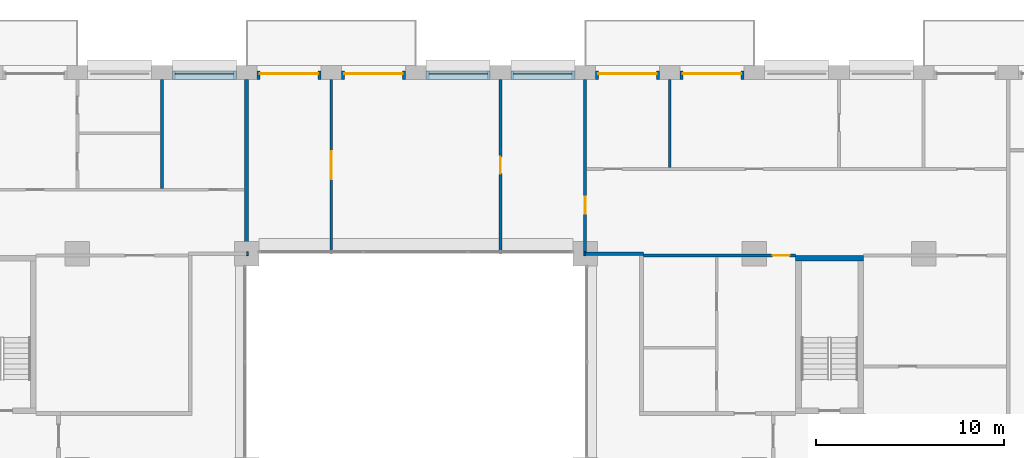
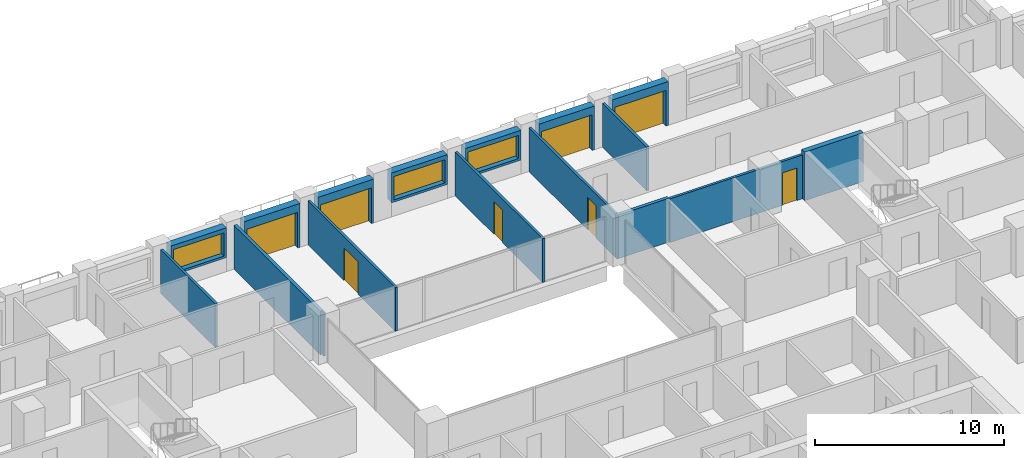
# One storey, part 13 of 17: 18 walls, 8 doors, 3 windows, 11 openings.
"""IFC4 building model written with IfcOpenShell, lengths in metres."""

from ifc_helpers import new_model, si_unit, direction, frame, frame_2d, origin, place, context, subcontext, project, spatial, rectangle, extrude, material, layer, layer_set, type_object, element, fill, save


model = new_model("IFC4")

# Units and contexts
model_context = context("Model", 3, precision=1e-05, world=origin(), true_north=direction((0.0, 1.0)))
body_context = subcontext(model_context, "Body", "Model", "MODEL_VIEW")
ifc_project = project(units=[si_unit("LENGTHUNIT", "METRE"), si_unit("AREAUNIT", "SQUARE_METRE"), si_unit("VOLUMEUNIT", "CUBIC_METRE"), si_unit("PLANEANGLEUNIT", "RADIAN"), si_unit("MASSUNIT", "GRAM", prefix="KILO")], contexts=[model_context])

# Site, building, storey
site_placement = place(None, origin())
site = spatial("IfcSite", under=ifc_project, at=site_placement, CompositionType="ELEMENT")
building_placement = place(site_placement, origin())
building = spatial("IfcBuilding", under=site, at=building_placement, Name="Brigalow Station Residences", CompositionType="ELEMENT")
storey_placement = place(building_placement, frame((0.0, 0.0, 96.14990234375)))
storey = spatial("IfcBuildingStorey", under=building, at=storey_placement, Name="L27", CompositionType="ELEMENT", Elevation=96.14990234375)

# Wall, opening, door
ifc_material_1 = material(Name="Clay brick masonry", Category="masonry")
ifc_layer_1 = layer(ifc_material_1, 0.449951171875)
ifc_layer_set_1 = layer_set([ifc_layer_1], Name="BRICK INFILL WALL 450")
wall_type_1 = type_object("IfcWallType", Name="BRICK INFILL WALL 450", PredefinedType="SOLIDWALL", material=ifc_layer_set_1)
wall_1_placement = place(storey_placement, frame((53.449951171875, 44.97509765625, 0.0), z_axis=(0.0, 0.0, 1.0), x_axis=(-1.0, 0.0, 0.0)))
wall_1 = element("IfcWall", 1, at=wall_1_placement, inside=storey, type_object=wall_type_1, Name="L27/ewall/W-L27-27", PredefinedType="SOLIDWALL", context=body_context, shape_type="SweptSolid", body=[
    extrude(rectangle(XDim=3.39990234375, YDim=0.449951171875, at=frame_2d((1.699951171875, 0.0))), origin(), (0.0, 0.0, 1.0), 2.830078125),
])
opening_1_placement = place(wall_1_placement, frame((0.14990234375, 0.0, 0.0)))
opening_1 = element("IfcOpeningElement", 2, at=opening_1_placement, cuts=wall_1, Name="Opening D-B3100", PredefinedType="OPENING", context=body_context, shape_type="SweptSolid", body=[
    extrude(rectangle(XDim=3.10009765625, YDim=2.300048828125, at=frame_2d((1.550048828125, 1.14990234375))), frame((0.0, 0.23486328125, 0.0), z_axis=(0.0, -1.0, 0.0), x_axis=(1.0, 0.0, 0.0)), (0.0, 0.0, 1.0), 0.469970703125),
])
ifc_material_2 = material(Name="Anodised aluminium frame with double glazing", Category="aluminium")
door_type_1 = type_object("IfcDoorType", Name="BALCONY SLIDING DOOR 3100x2300", OperationType="SLIDING_TO_LEFT", PredefinedType="DOOR", material=ifc_material_2)
door_1_placement = place(opening_1_placement, origin())
door_1 = element("IfcDoor", 3, at=door_1_placement, inside=storey, type_object=door_type_1, Name="L27/balcony-door/W-L27-27", OperationType="SLIDING_TO_LEFT", OverallHeight=2.300048828125, OverallWidth=3.10009765625, PredefinedType="DOOR", context=body_context, shape_type="SweptSolid", body=[
    extrude(rectangle(XDim=3.10009765625, YDim=2.300048828125, at=frame_2d((1.550048828125, 1.14990234375))), frame((0.0, -0.06982421875, 0.0), z_axis=(0.0, -1.0, 0.0), x_axis=(1.0, 0.0, 0.0)), (0.0, 0.0, 1.0), 0.050048828125),
])
fill(opening_1, door_1)

wall_2_placement = place(storey_placement, frame((48.949951171875, 44.97509765625, 0.0), z_axis=(0.0, 0.0, 1.0), x_axis=(-1.0, 0.0, 0.0)))
wall_2 = element("IfcWall", 4, at=wall_2_placement, inside=storey, type_object=wall_type_1, Name="L27/ewall/W-L27-28", PredefinedType="SOLIDWALL", context=body_context, shape_type="SweptSolid", body=[
    extrude(rectangle(XDim=3.39990234375, YDim=0.449951171875, at=frame_2d((1.699951171875, 0.0))), origin(), (0.0, 0.0, 1.0), 2.830078125),
])
opening_2_placement = place(wall_2_placement, frame((0.14990234375, 0.0, 0.0)))
opening_2 = element("IfcOpeningElement", 5, at=opening_2_placement, cuts=wall_2, Name="Opening D-B3100", PredefinedType="OPENING", context=body_context, shape_type="SweptSolid", body=[
    extrude(rectangle(XDim=3.10009765625, YDim=2.300048828125, at=frame_2d((1.550048828125, 1.14990234375))), frame((0.0, 0.23486328125, 0.0), z_axis=(0.0, -1.0, 0.0), x_axis=(1.0, 0.0, 0.0)), (0.0, 0.0, 1.0), 0.469970703125),
])
door_2_placement = place(opening_2_placement, origin())
door_2 = element("IfcDoor", 6, at=door_2_placement, inside=storey, type_object=door_type_1, Name="L27/balcony-door/W-L27-28", OperationType="SLIDING_TO_LEFT", OverallHeight=2.300048828125, OverallWidth=3.10009765625, PredefinedType="DOOR", context=body_context, shape_type="SweptSolid", body=[
    extrude(rectangle(XDim=3.10009765625, YDim=2.300048828125, at=frame_2d((1.550048828125, 1.14990234375))), frame((0.0, -0.06982421875, 0.0), z_axis=(0.0, -1.0, 0.0), x_axis=(1.0, 0.0, 0.0)), (0.0, 0.0, 1.0), 0.050048828125),
])
fill(opening_2, door_2)

# Wall, opening, window
wall_3_placement = place(storey_placement, frame((44.449951171875, 44.97509765625, 0.900146484375), z_axis=(0.0, 0.0, 1.0), x_axis=(-1.0, 0.0, 0.0)))
wall_3 = element("IfcWall", 7, at=wall_3_placement, inside=storey, type_object=wall_type_1, Name="L27/ewall/W-L27-29", PredefinedType="SOLIDWALL", context=body_context, shape_type="SweptSolid", body=[
    extrude(rectangle(XDim=3.39990234375, YDim=0.449951171875, at=frame_2d((1.699951171875, 0.0))), origin(), (0.0, 0.0, 1.0), 1.929931640625),
])
opening_3_placement = place(wall_3_placement, frame((0.14990234375, 0.0, 0.14990234375)))
opening_3 = element("IfcOpeningElement", 8, at=opening_3_placement, cuts=wall_3, Name="Opening WT-8", PredefinedType="OPENING", context=body_context, shape_type="SweptSolid", body=[
    extrude(rectangle(XDim=3.10009765625, YDim=1.5, at=frame_2d((1.550048828125, 0.75))), frame((0.0, 0.23486328125, 0.0), z_axis=(0.0, -1.0, 0.0), x_axis=(1.0, 0.0, 0.0)), (0.0, 0.0, 1.0), 0.469970703125),
])
ifc_material_3 = material(Name="Anodised aluminium frame with double glazing", Category="aluminium")
window_type = type_object("IfcWindowType", Name="WINDOW 3100x1500", PartitioningType="SINGLE_PANEL", PredefinedType="WINDOW", material=ifc_material_3)
window_1_placement = place(opening_3_placement, origin())
window_1 = element("IfcWindow", 9, at=window_1_placement, inside=storey, type_object=window_type, Name="L27/window/W-L27-29", OverallHeight=1.5, OverallWidth=3.10009765625, PartitioningType="SINGLE_PANEL", PredefinedType="WINDOW", context=body_context, shape_type="SweptSolid", body=[
    extrude(rectangle(XDim=3.10009765625, YDim=1.5, at=frame_2d((1.550048828125, 0.75))), frame((0.0, -0.06494140625, 0.0), z_axis=(0.0, -1.0, 0.0), x_axis=(1.0, 0.0, 0.0)), (0.0, 0.0, 1.0), 0.06005859375),
])
fill(opening_3, window_1)

wall_4_placement = place(storey_placement, frame((39.949951171875, 44.97509765625, 0.900146484375), z_axis=(0.0, 0.0, 1.0), x_axis=(-1.0, 0.0, 0.0)))
wall_4 = element("IfcWall", 10, at=wall_4_placement, inside=storey, type_object=wall_type_1, Name="L27/ewall/W-L27-30", PredefinedType="SOLIDWALL", context=body_context, shape_type="SweptSolid", body=[
    extrude(rectangle(XDim=3.39990234375, YDim=0.449951171875, at=frame_2d((1.699951171875, 0.0))), origin(), (0.0, 0.0, 1.0), 1.929931640625),
])
opening_4_placement = place(wall_4_placement, frame((0.14990234375, 0.0, 0.14990234375)))
opening_4 = element("IfcOpeningElement", 11, at=opening_4_placement, cuts=wall_4, Name="Opening WT-8", PredefinedType="OPENING", context=body_context, shape_type="SweptSolid", body=[
    extrude(rectangle(XDim=3.10009765625, YDim=1.5, at=frame_2d((1.550048828125, 0.75))), frame((0.0, 0.23486328125, 0.0), z_axis=(0.0, -1.0, 0.0), x_axis=(1.0, 0.0, 0.0)), (0.0, 0.0, 1.0), 0.469970703125),
])
window_2_placement = place(opening_4_placement, origin())
window_2 = element("IfcWindow", 12, at=window_2_placement, inside=storey, type_object=window_type, Name="L27/window/W-L27-30", OverallHeight=1.5, OverallWidth=3.10009765625, PartitioningType="SINGLE_PANEL", PredefinedType="WINDOW", context=body_context, shape_type="SweptSolid", body=[
    extrude(rectangle(XDim=3.10009765625, YDim=1.5, at=frame_2d((1.550048828125, 0.75))), frame((0.0, -0.06494140625, 0.0), z_axis=(0.0, -1.0, 0.0), x_axis=(1.0, 0.0, 0.0)), (0.0, 0.0, 1.0), 0.06005859375),
])
fill(opening_4, window_2)

# Wall, opening, door
wall_5_placement = place(storey_placement, frame((35.449951171875, 44.97509765625, 0.0), z_axis=(0.0, 0.0, 1.0), x_axis=(-1.0, 0.0, 0.0)))
wall_5 = element("IfcWall", 13, at=wall_5_placement, inside=storey, type_object=wall_type_1, Name="L27/ewall/W-L27-31", PredefinedType="SOLIDWALL", context=body_context, shape_type="SweptSolid", body=[
    extrude(rectangle(XDim=3.39990234375, YDim=0.449951171875, at=frame_2d((1.699951171875, 0.0))), origin(), (0.0, 0.0, 1.0), 2.830078125),
])
opening_5_placement = place(wall_5_placement, frame((0.14990234375, 0.0, 0.0)))
opening_5 = element("IfcOpeningElement", 14, at=opening_5_placement, cuts=wall_5, Name="Opening D-B3100", PredefinedType="OPENING", context=body_context, shape_type="SweptSolid", body=[
    extrude(rectangle(XDim=3.10009765625, YDim=2.300048828125, at=frame_2d((1.550048828125, 1.14990234375))), frame((0.0, 0.23486328125, 0.0), z_axis=(0.0, -1.0, 0.0), x_axis=(1.0, 0.0, 0.0)), (0.0, 0.0, 1.0), 0.469970703125),
])
door_3_placement = place(opening_5_placement, origin())
door_3 = element("IfcDoor", 15, at=door_3_placement, inside=storey, type_object=door_type_1, Name="L27/balcony-door/W-L27-31", OperationType="SLIDING_TO_LEFT", OverallHeight=2.300048828125, OverallWidth=3.10009765625, PredefinedType="DOOR", context=body_context, shape_type="SweptSolid", body=[
    extrude(rectangle(XDim=3.10009765625, YDim=2.300048828125, at=frame_2d((1.550048828125, 1.14990234375))), frame((0.0, -0.06982421875, 0.0), z_axis=(0.0, -1.0, 0.0), x_axis=(1.0, 0.0, 0.0)), (0.0, 0.0, 1.0), 0.050048828125),
])
fill(opening_5, door_3)

wall_6_placement = place(storey_placement, frame((30.949951171875, 44.97509765625, 0.0), z_axis=(0.0, 0.0, 1.0), x_axis=(-1.0, 0.0, 0.0)))
wall_6 = element("IfcWall", 16, at=wall_6_placement, inside=storey, type_object=wall_type_1, Name="L27/ewall/W-L27-32", PredefinedType="SOLIDWALL", context=body_context, shape_type="SweptSolid", body=[
    extrude(rectangle(XDim=3.39990234375, YDim=0.449951171875, at=frame_2d((1.699951171875, 0.0))), origin(), (0.0, 0.0, 1.0), 2.830078125),
])
opening_6_placement = place(wall_6_placement, frame((0.14990234375, 0.0, 0.0)))
opening_6 = element("IfcOpeningElement", 17, at=opening_6_placement, cuts=wall_6, Name="Opening D-B3100", PredefinedType="OPENING", context=body_context, shape_type="SweptSolid", body=[
    extrude(rectangle(XDim=3.10009765625, YDim=2.300048828125, at=frame_2d((1.550048828125, 1.14990234375))), frame((0.0, 0.23486328125, 0.0), z_axis=(0.0, -1.0, 0.0), x_axis=(1.0, 0.0, 0.0)), (0.0, 0.0, 1.0), 0.469970703125),
])
door_4_placement = place(opening_6_placement, origin())
door_4 = element("IfcDoor", 18, at=door_4_placement, inside=storey, type_object=door_type_1, Name="L27/balcony-door/W-L27-32", OperationType="SLIDING_TO_LEFT", OverallHeight=2.300048828125, OverallWidth=3.10009765625, PredefinedType="DOOR", context=body_context, shape_type="SweptSolid", body=[
    extrude(rectangle(XDim=3.10009765625, YDim=2.300048828125, at=frame_2d((1.550048828125, 1.14990234375))), frame((0.0, -0.06982421875, 0.0), z_axis=(0.0, -1.0, 0.0), x_axis=(1.0, 0.0, 0.0)), (0.0, 0.0, 1.0), 0.050048828125),
])
fill(opening_6, door_4)

# Wall, opening, window
wall_7_placement = place(storey_placement, frame((26.449951171875, 44.97509765625, 0.900146484375), z_axis=(0.0, 0.0, 1.0), x_axis=(-1.0, 0.0, 0.0)))
wall_7 = element("IfcWall", 19, at=wall_7_placement, inside=storey, type_object=wall_type_1, Name="L27/ewall/W-L27-33", PredefinedType="SOLIDWALL", context=body_context, shape_type="SweptSolid", body=[
    extrude(rectangle(XDim=3.39990234375, YDim=0.449951171875, at=frame_2d((1.699951171875, 0.0))), origin(), (0.0, 0.0, 1.0), 1.929931640625),
])
opening_7_placement = place(wall_7_placement, frame((0.14990234375, 0.0, 0.14990234375)))
opening_7 = element("IfcOpeningElement", 20, at=opening_7_placement, cuts=wall_7, Name="Opening WT-8", PredefinedType="OPENING", context=body_context, shape_type="SweptSolid", body=[
    extrude(rectangle(XDim=3.10009765625, YDim=1.5, at=frame_2d((1.550048828125, 0.75))), frame((0.0, 0.23486328125, 0.0), z_axis=(0.0, -1.0, 0.0), x_axis=(1.0, 0.0, 0.0)), (0.0, 0.0, 1.0), 0.469970703125),
])
window_3_placement = place(opening_7_placement, origin())
window_3 = element("IfcWindow", 21, at=window_3_placement, inside=storey, type_object=window_type, Name="L27/window/W-L27-33", OverallHeight=1.5, OverallWidth=3.10009765625, PartitioningType="SINGLE_PANEL", PredefinedType="WINDOW", context=body_context, shape_type="SweptSolid", body=[
    extrude(rectangle(XDim=3.10009765625, YDim=1.5, at=frame_2d((1.550048828125, 0.75))), frame((0.0, -0.06494140625, 0.0), z_axis=(0.0, -1.0, 0.0), x_axis=(1.0, 0.0, 0.0)), (0.0, 0.0, 1.0), 0.06005859375),
])
fill(opening_7, window_3)

# Wall
ifc_material_4 = material(Name="Concrete C65", Category="concrete")
ifc_layer_2 = layer(ifc_material_4, 0.300048828125)
ifc_layer_set_2 = layer_set([ifc_layer_2], Name="CORE SHEAR WALL 300 C65")
wall_type_2 = type_object("IfcWallType", Name="CORE SHEAR WALL 300 C65", PredefinedType="SHEAR", material=ifc_layer_set_2)
wall_8_placement = place(storey_placement, frame((56.199951171875, 35.25, 0.0), z_axis=(0.0, 0.0, 1.0), x_axis=(1.0, 0.0, 0.0)))
element("IfcWall", 22, at=wall_8_placement, inside=storey, type_object=wall_type_2, Name="CORE WALL ST-S3-N L27", PredefinedType="SHEAR", context=body_context, shape_type="SweptSolid", body=[
    extrude(rectangle(XDim=3.60009765625, YDim=0.300048828125, at=frame_2d((1.800048828125, 0.0))), origin(), (0.0, 0.0, 1.0), 3.150146484375),
])

# Wall, opening, door
ifc_material_5 = material(Name="Plasterboard on steel stud partition", Category="steel")
ifc_layer_3 = layer(ifc_material_5, 0.14990234375)
ifc_layer_set_3 = layer_set([ifc_layer_3], Name="FLAT PARTITION 150")
wall_type_3 = type_object("IfcWallType", Name="FLAT PARTITION 150", PredefinedType="PARTITIONING", material=ifc_layer_set_3)
wall_9_placement = place(storey_placement, frame((48.10009765625, 35.39990234375, 0.0), z_axis=(0.0, 0.0, 1.0), x_axis=(1.0, 0.0, 0.0)))
wall_9 = element("IfcWall", 23, at=wall_9_placement, inside=storey, type_object=wall_type_3, Name="PW-2B28", PredefinedType="PARTITIONING", context=body_context, shape_type="SweptSolid", body=[
    extrude(rectangle(XDim=8.099853515625, YDim=0.14990234375, at=frame_2d((4.0498046875, 0.0))), origin(), (0.0, 0.0, 1.0), 2.830078125),
])
opening_8_placement = place(wall_9_placement, frame((6.875, 0.0, 0.0)))
opening_8 = element("IfcOpeningElement", 24, at=opening_8_placement, cuts=wall_9, Name="Opening D-2B23", PredefinedType="OPENING", context=body_context, shape_type="SweptSolid", body=[
    extrude(rectangle(XDim=0.89990234375, YDim=2.10009765625, at=frame_2d((0.449951171875, 1.050048828125))), frame((0.0, 0.0849609375, 0.0), z_axis=(0.0, -1.0, 0.0), x_axis=(1.0, 0.0, 0.0)), (0.0, 0.0, 1.0), 0.169921875),
])
ifc_material_6 = material(Name="Solid-core timber door leaf", Category="wood")
door_type_2 = type_object("IfcDoorType", Name="INTERNAL DOOR 900 x 2100", OperationType="SINGLE_SWING_LEFT", PredefinedType="DOOR", material=ifc_material_6)
door_5_placement = place(opening_8_placement, frame((0.89990234375, 0.0, 0.0), z_axis=(0.0, 0.0, 1.0), x_axis=(-1.0, 0.0, 0.0)))
door_5 = element("IfcDoor", 25, at=door_5_placement, inside=storey, type_object=door_type_2, Name="D-2B23", OperationType="SINGLE_SWING_LEFT", OverallHeight=2.10009765625, OverallWidth=0.89990234375, PredefinedType="DOOR", context=body_context, shape_type="SweptSolid", body=[
    extrude(rectangle(XDim=0.89990234375, YDim=2.10009765625, at=frame_2d((0.449951171875, 1.050048828125))), frame((0.0, 0.02490234375, 0.0), z_axis=(0.0, -1.0, 0.0), x_axis=(1.0, 0.0, 0.0)), (0.0, 0.0, 1.0), 0.050048828125),
])
fill(opening_8, door_5)

# Wall
wall_10_placement = place(storey_placement, frame((22.5, 38.97509765625, 0.0), z_axis=(0.0, 0.0, 1.0), x_axis=(0.0, 1.0, 0.0)))
element("IfcWall", 26, at=wall_10_placement, inside=storey, type_object=wall_type_3, Name="PW-2B52", PredefinedType="PARTITIONING", context=body_context, shape_type="SweptSolid", body=[
    extrude(rectangle(XDim=5.77490234375, YDim=0.14990234375, at=frame_2d((2.887451171875, 0.0))), origin(), (0.0, 0.0, 1.0), 2.830078125),
])

# Wall, opening, door
wall_11_placement = place(storey_placement, frame((31.5, 35.5, 0.0), z_axis=(0.0, 0.0, 1.0), x_axis=(0.0, 1.0, 0.0)))
wall_11 = element("IfcWall", 27, at=wall_11_placement, inside=storey, type_object=wall_type_3, Name="PW-2B54", PredefinedType="PARTITIONING", context=body_context, shape_type="SweptSolid", body=[
    extrude(rectangle(XDim=9.25, YDim=0.14990234375, at=frame_2d((4.625, 0.0))), origin(), (0.0, 0.0, 1.0), 2.830078125),
])
opening_9_placement = place(wall_11_placement, frame((3.949951171875, 0.0, 0.0)))
opening_9 = element("IfcOpeningElement", 28, at=opening_9_placement, cuts=wall_11, Name="Opening D-2B26", PredefinedType="OPENING", context=body_context, shape_type="SweptSolid", body=[
    extrude(rectangle(XDim=1.5, YDim=2.10009765625, at=frame_2d((0.75, 1.050048828125))), frame((0.0, 0.0849609375, 0.0), z_axis=(0.0, -1.0, 0.0), x_axis=(1.0, 0.0, 0.0)), (0.0, 0.0, 1.0), 0.169921875),
])
ifc_material_7 = material(Name="Solid-core timber door leaf", Category="wood")
door_type_3 = type_object("IfcDoorType", Name="INTERNAL DOUBLE DOOR 1500 x 2100", OperationType="DOUBLE_DOOR_SINGLE_SWING", PredefinedType="DOOR", material=ifc_material_7)
door_6_placement = place(opening_9_placement, origin())
door_6 = element("IfcDoor", 29, at=door_6_placement, inside=storey, type_object=door_type_3, Name="D-2B26", OperationType="DOUBLE_DOOR_SINGLE_SWING", OverallHeight=2.10009765625, OverallWidth=1.5, PredefinedType="DOOR", context=body_context, shape_type="SweptSolid", body=[
    extrude(rectangle(XDim=1.5, YDim=2.10009765625, at=frame_2d((0.75, 1.050048828125))), frame((0.0, 0.02490234375, 0.0), z_axis=(0.0, -1.0, 0.0), x_axis=(1.0, 0.0, 0.0)), (0.0, 0.0, 1.0), 0.050048828125),
])
fill(opening_9, door_6)

wall_12_placement = place(storey_placement, frame((40.5, 35.5, 0.0), z_axis=(0.0, 0.0, 1.0), x_axis=(0.0, 1.0, 0.0)))
wall_12 = element("IfcWall", 30, at=wall_12_placement, inside=storey, type_object=wall_type_3, Name="PW-2B55", PredefinedType="PARTITIONING", context=body_context, shape_type="SweptSolid", body=[
    extrude(rectangle(XDim=9.25, YDim=0.14990234375, at=frame_2d((4.625, 0.0))), origin(), (0.0, 0.0, 1.0), 2.830078125),
])
opening_10_placement = place(wall_12_placement, frame((4.25, 0.0, 0.0)))
opening_10 = element("IfcOpeningElement", 31, at=opening_10_placement, cuts=wall_12, Name="Opening D-2B25", PredefinedType="OPENING", context=body_context, shape_type="SweptSolid", body=[
    extrude(rectangle(XDim=0.89990234375, YDim=2.10009765625, at=frame_2d((0.449951171875, 1.050048828125))), frame((0.0, 0.0849609375, 0.0), z_axis=(0.0, -1.0, 0.0), x_axis=(1.0, 0.0, 0.0)), (0.0, 0.0, 1.0), 0.169921875),
])
door_7_placement = place(opening_10_placement, frame((0.89990234375, 0.0, 0.0), z_axis=(0.0, 0.0, 1.0), x_axis=(-1.0, 0.0, 0.0)))
door_7 = element("IfcDoor", 32, at=door_7_placement, inside=storey, type_object=door_type_2, Name="D-2B25", OperationType="SINGLE_SWING_LEFT", OverallHeight=2.10009765625, OverallWidth=0.89990234375, PredefinedType="DOOR", context=body_context, shape_type="SweptSolid", body=[
    extrude(rectangle(XDim=0.89990234375, YDim=2.10009765625, at=frame_2d((0.449951171875, 1.050048828125))), frame((0.0, 0.02490234375, 0.0), z_axis=(0.0, -1.0, 0.0), x_axis=(1.0, 0.0, 0.0)), (0.0, 0.0, 1.0), 0.050048828125),
])
fill(opening_10, door_7)

wall_13_placement = place(storey_placement, frame((45.0, 35.60009765625, 0.0), z_axis=(0.0, 0.0, 1.0), x_axis=(0.0, 1.0, 0.0)))
wall_13 = element("IfcWall", 33, at=wall_13_placement, inside=storey, type_object=wall_type_3, Name="PW-2B56", PredefinedType="PARTITIONING", context=body_context, shape_type="SweptSolid", body=[
    extrude(rectangle(XDim=9.14990234375, YDim=0.14990234375, at=frame_2d((4.574951171875, 0.0))), origin(), (0.0, 0.0, 1.0), 2.830078125),
])
opening_11_placement = place(wall_13_placement, frame((2.02490234375, 0.0, 0.0)))
opening_11 = element("IfcOpeningElement", 34, at=opening_11_placement, cuts=wall_13, Name="Opening D-2B24", PredefinedType="OPENING", context=body_context, shape_type="SweptSolid", body=[
    extrude(rectangle(XDim=0.89990234375, YDim=2.10009765625, at=frame_2d((0.449951171875, 1.050048828125))), frame((0.0, 0.0849609375, 0.0), z_axis=(0.0, -1.0, 0.0), x_axis=(1.0, 0.0, 0.0)), (0.0, 0.0, 1.0), 0.169921875),
])
door_8_placement = place(opening_11_placement, origin())
door_8 = element("IfcDoor", 35, at=door_8_placement, inside=storey, type_object=door_type_2, Name="D-2B24", OperationType="SINGLE_SWING_LEFT", OverallHeight=2.10009765625, OverallWidth=0.89990234375, PredefinedType="DOOR", context=body_context, shape_type="SweptSolid", body=[
    extrude(rectangle(XDim=0.89990234375, YDim=2.10009765625, at=frame_2d((0.449951171875, 1.050048828125))), frame((0.0, 0.02490234375, 0.0), z_axis=(0.0, -1.0, 0.0), x_axis=(1.0, 0.0, 0.0)), (0.0, 0.0, 1.0), 0.050048828125),
])
fill(opening_11, door_8)

# Walls
wall_14_placement = place(storey_placement, frame((49.5, 40.074951171875, 0.0), z_axis=(0.0, 0.0, 1.0), x_axis=(0.0, 1.0, 0.0)))
element("IfcWall", 36, at=wall_14_placement, inside=storey, type_object=wall_type_3, Name="PW-2B59", PredefinedType="PARTITIONING", context=body_context, shape_type="SweptSolid", body=[
    extrude(rectangle(XDim=4.675048828125, YDim=0.14990234375, at=frame_2d((2.33740234375, 0.0))), origin(), (0.0, 0.0, 1.0), 2.830078125),
])
ifc_material_8 = material(Name="Plasterboard on steel stud partition", Category="steel")
ifc_layer_4 = layer(ifc_material_8, 0.199951171875)
ifc_layer_set_4 = layer_set([ifc_layer_4], Name="PARTY AND CORRIDOR WALL 200")
wall_type_4 = type_object("IfcWallType", Name="PARTY AND CORRIDOR WALL 200", PredefinedType="PARTITIONING", material=ifc_layer_set_4)
wall_15_placement = place(storey_placement, frame((27.0, 35.5, 0.0), z_axis=(0.0, 0.0, 1.0), x_axis=(1.0, 0.0, 0.0)))
element("IfcWall", 37, at=wall_15_placement, inside=storey, type_object=wall_type_4, Name="PW-2B08", PredefinedType="PARTITIONING", context=body_context, shape_type="SweptSolid", body=[
    extrude(rectangle(XDim=0.10009765625, YDim=0.199951171875, at=frame_2d((0.050048828125, 0.0))), origin(), (0.0, 0.0, 1.0), 2.830078125),
])
wall_16_placement = place(storey_placement, frame((44.925048828125, 35.5, 0.0), z_axis=(0.0, 0.0, 1.0), x_axis=(1.0, 0.0, 0.0)))
element("IfcWall", 38, at=wall_16_placement, inside=storey, type_object=wall_type_4, Name="PW-2B09", PredefinedType="PARTITIONING", context=body_context, shape_type="SweptSolid", body=[
    extrude(rectangle(XDim=0.074951171875, YDim=0.199951171875, at=frame_2d((0.03759765625, 0.0))), origin(), (0.0, 0.0, 1.0), 2.830078125),
])
wall_17_placement = place(storey_placement, frame((45.0, 35.5, 0.0), z_axis=(0.0, 0.0, 1.0), x_axis=(1.0, 0.0, 0.0)))
element("IfcWall", 39, at=wall_17_placement, inside=storey, type_object=wall_type_4, Name="PW-2B10", PredefinedType="PARTITIONING", context=body_context, shape_type="SweptSolid", body=[
    extrude(rectangle(XDim=3.10009765625, YDim=0.199951171875, at=frame_2d((1.550048828125, 0.0))), origin(), (0.0, 0.0, 1.0), 2.830078125),
])
wall_18_placement = place(storey_placement, frame((27.0, 35.60009765625, 0.0), z_axis=(0.0, 0.0, 1.0), x_axis=(0.0, 1.0, 0.0)))
element("IfcWall", 40, at=wall_18_placement, inside=storey, type_object=wall_type_4, Name="PW-2B51", PredefinedType="PARTITIONING", context=body_context, shape_type="SweptSolid", body=[
    extrude(rectangle(XDim=9.14990234375, YDim=0.199951171875, at=frame_2d((4.574951171875, 0.0))), origin(), (0.0, 0.0, 1.0), 2.830078125),
])

save(model, "model.ifc")
